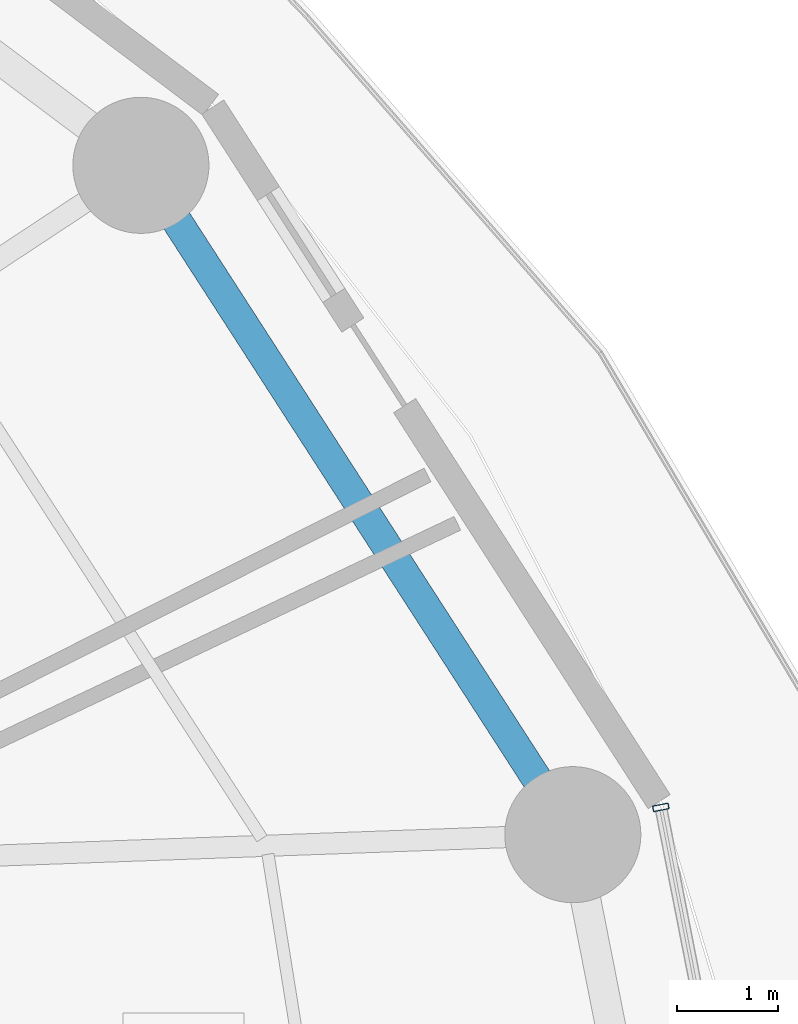
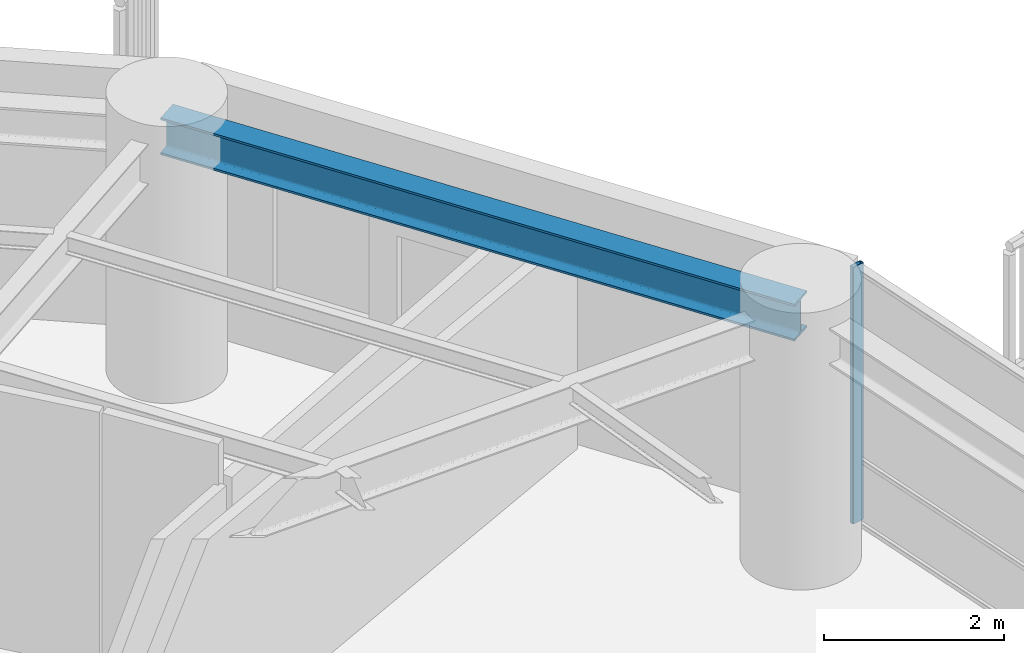
# One storey, part 26 of 36: 1 beam, 1 member, 1 element without a shape of its own.
"""IFC4 building model written with IfcOpenShell, lengths in metres."""

from ifc_helpers import new_model, si_unit, direction, frame, origin, origin_2d, place, context, subcontext, project, spatial, hollow_rectangle, i_section, extrude, material, layer, layer_set, material_profile, profile_set, type_object, element, aggregate, save


model = new_model("IFC4")

# Units and contexts
model_context = context("Model", 3, precision=1e-05, world=origin(), true_north=direction((0.0, 1.0)))
body_context = subcontext(model_context, "Body", "Model", "MODEL_VIEW")
ifc_project = project(units=[si_unit("LENGTHUNIT", "METRE"), si_unit("AREAUNIT", "SQUARE_METRE"), si_unit("VOLUMEUNIT", "CUBIC_METRE"), si_unit("PLANEANGLEUNIT", "RADIAN"), si_unit("MASSUNIT", "GRAM", prefix="KILO")], contexts=[model_context])

# Site, building, storey
site_placement = place(None, origin())
site = spatial("IfcSite", under=ifc_project, at=site_placement, CompositionType="ELEMENT")
building_placement = place(site_placement, origin())
building = spatial("IfcBuilding", under=site, at=building_placement, Name="Kelanora Arch Commons", CompositionType="ELEMENT")
storey_placement = place(building_placement, frame((0.0, 0.0, 102.60009765625)))
storey = spatial("IfcBuildingStorey", under=building, at=storey_placement, Name="L26", CompositionType="ELEMENT", Elevation=102.60009765625)

# Beam
ifc_material_1 = material(Name="Steel S355", Category="steel")
ifc_material_profile_1 = material_profile(ifc_material_1, i_section(OverallWidth=0.300048828125, OverallDepth=0.5, WebThickness=0.014404296875, FlangeThickness=0.028076171875, FilletRadius=0.027099609375, at=origin_2d()), Name="HEB500")
ifc_profile_set_1 = profile_set([ifc_material_profile_1], Name="Steel S355")
beam_type = type_object("IfcBeamType", Name="BM-SPN-Z2", PredefinedType="SPANDREL", material=ifc_profile_set_1)
beam_placement = place(storey_placement, frame((97.191650390625, 65.5517578125, 3.239990234375), z_axis=(-0.542221144054, 0.840235818649, 0.0), x_axis=(-0.840235818649, -0.542221144054, 0.0)))
element("IfcBeam", 1, at=beam_placement, inside=storey, type_object=beam_type, Name="Perimeter Spandrel Beam BS-02 L26", PredefinedType="SPANDREL", context=body_context, shape_type="SweptSolid", body=[
    extrude(i_section(OverallWidth=0.300048828125, OverallDepth=0.5, WebThickness=0.014404296875, FlangeThickness=0.028076171875, FilletRadius=0.027099609375, at=origin_2d()), origin(), (0.0, 0.0, 1.0), 7.90380859375),
])

# Curtain wall, member
ifc_material_2 = material(Name="Terracotta ceramic-fritted low-E glass and aluminium", Category="masonry")
ifc_layer = layer(ifc_material_2, 0.159912109375)
ifc_layer_set = layer_set([ifc_layer], Name="Terracotta ceramic-fritted low-E glass and aluminium")
curtain_wall_type = type_object("IfcCurtainWallType", Name="CW-SYS-01", PredefinedType="NOTDEFINED", material=ifc_layer_set)
curtain_wall_placement = place(storey_placement, origin())
curtain_wall = element("IfcCurtainWall", 2, at=curtain_wall_placement, inside=storey, type_object=curtain_wall_type, Name="Unitised Curtain Wall L26-B00", PredefinedType="NOTDEFINED")
ifc_material_3 = material(Name="Powder-coated aluminium terracotta", Category="masonry")
ifc_material_profile_2 = material_profile(ifc_material_3, hollow_rectangle(XDim=0.159912109375, YDim=0.06005859375, WallThickness=0.0048828125, InnerFilletRadius=0.0048828125, OuterFilletRadius=0.010009765625, at=origin_2d()), Name="CWM160x60")
ifc_profile_set_2 = profile_set([ifc_material_profile_2], Name="Powder-coated aluminium terracotta")
member_type = type_object("IfcMemberType", Name="CWM-STD", PredefinedType="MULLION", material=ifc_profile_set_2)
member_placement = place(storey_placement, frame((98.064697265625, 65.822265625, 0.0), z_axis=(0.0, 0.0, 1.0), x_axis=(-0.981280311646, -0.192584916272, 0.0)))
member = element("IfcMember", 3, at=member_placement, type_object=member_type, Name="CW-01 mullion 3", PredefinedType="MULLION", context=body_context, shape_type="SweptSolid", body=[
    extrude(hollow_rectangle(XDim=0.159912109375, YDim=0.06005859375, WallThickness=0.0048828125, InnerFilletRadius=0.0048828125, OuterFilletRadius=0.010009765625, at=origin_2d()), origin(), (0.0, 0.0, 1.0), 3.474853515625),
])
aggregate(curtain_wall, [member])

save(model, "model.ifc")
